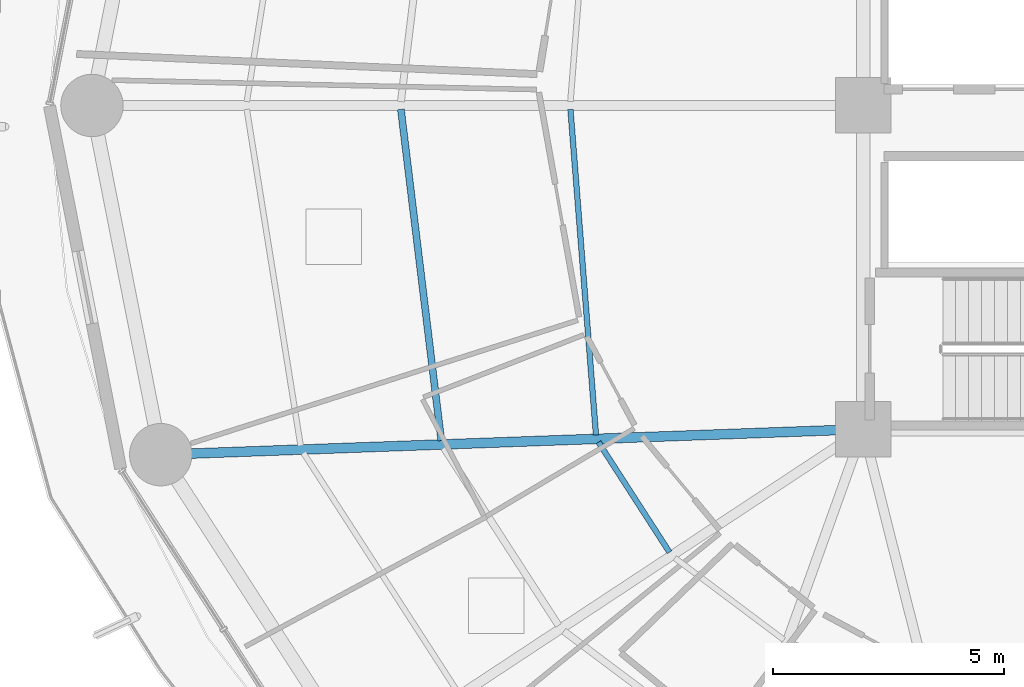
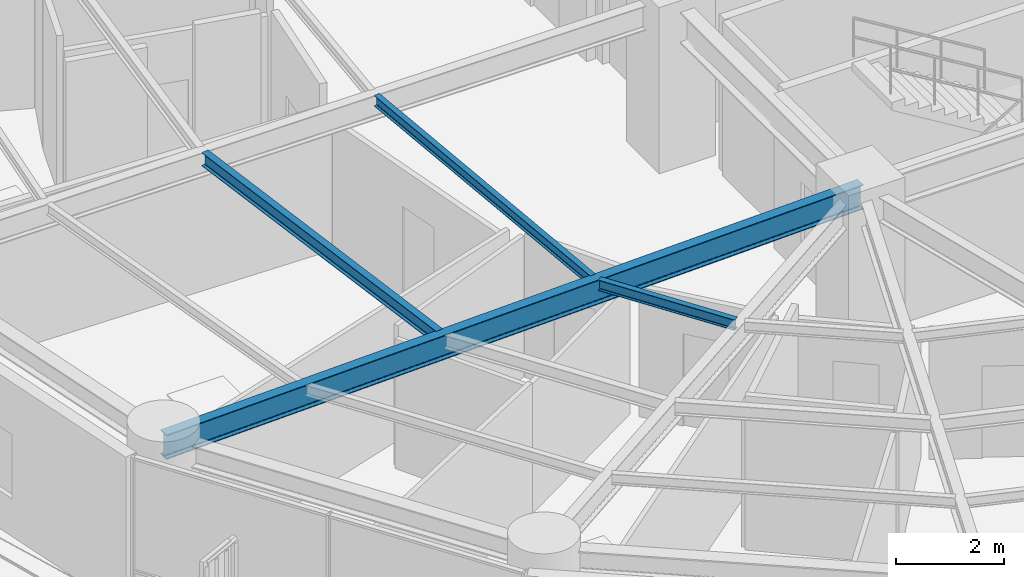
# One storey, part 7 of 37: 4 beams.
"""IFC4 building model written with IfcOpenShell, lengths in metres."""

from ifc_helpers import new_model, si_unit, direction, frame, origin, origin_2d, place, context, subcontext, project, spatial, i_section, extrude, material, material_profile, profile_set, type_object, element, save


model = new_model("IFC4")

# Units and contexts
model_context = context("Model", 3, precision=1e-05, world=origin(), true_north=direction((0.0, 1.0)))
body_context = subcontext(model_context, "Body", "Model", "MODEL_VIEW")
ifc_project = project(units=[si_unit("LENGTHUNIT", "METRE"), si_unit("AREAUNIT", "SQUARE_METRE"), si_unit("VOLUMEUNIT", "CUBIC_METRE"), si_unit("PLANEANGLEUNIT", "RADIAN"), si_unit("MASSUNIT", "GRAM", prefix="KILO")], contexts=[model_context])

# Site, building, storey
site_placement = place(None, origin())
site = spatial("IfcSite", under=ifc_project, at=site_placement, CompositionType="ELEMENT")
building_placement = place(site_placement, origin())
building = spatial("IfcBuilding", under=site, at=building_placement, Name="Kelanora Arch Commons", CompositionType="ELEMENT")
storey_placement = place(building_placement, frame((0.0, 0.0, 110.10009765625)))
storey = spatial("IfcBuildingStorey", under=building, at=storey_placement, Name="L28", CompositionType="ELEMENT", Elevation=110.10009765625)

# Beams
ifc_material = material(Name="Steel S355", Category="steel")
ifc_material_profile_1 = material_profile(ifc_material, i_section(OverallWidth=0.14990234375, OverallDepth=0.300048828125, WebThickness=0.007080078125, FlangeThickness=0.0107421875, FilletRadius=0.014892578125, at=origin_2d()), Name="IPE300")
ifc_profile_set_1 = profile_set([ifc_material_profile_1], Name="Steel S355")
beam_type_1 = type_object("IfcBeamType", Name="BM-JST-01", PredefinedType="JOIST", material=ifc_profile_set_1)
beam_1_placement = place(storey_placement, frame((56.002197265625, 57.91552734375, 3.33984375), z_axis=(0.120935645266, -0.992660349618, 0.0), x_axis=(0.992660349618, 0.120935645266, 0.0)))
element("IfcBeam", 1, at=beam_1_placement, inside=storey, type_object=beam_type_1, Name="Secondary Chord Joist BJB-18 L28", PredefinedType="JOIST", context=body_context, shape_type="SweptSolid", body=[
    extrude(i_section(OverallWidth=0.14990234375, OverallDepth=0.300048828125, WebThickness=0.007080078125, FlangeThickness=0.0107421875, FilletRadius=0.014892578125, at=origin_2d()), origin(), (0.0, 0.0, 1.0), 7.215087890625),
])
ifc_material_profile_2 = material_profile(ifc_material, i_section(OverallWidth=0.1201171875, OverallDepth=0.239990234375, WebThickness=0.006103515625, FlangeThickness=0.009765625, FilletRadius=0.014892578125, at=origin_2d()), Name="IPE240")
ifc_profile_set_2 = profile_set([ifc_material_profile_2], Name="Steel S355")
beam_type_2 = type_object("IfcBeamType", Name="BM-JST-02", PredefinedType="JOIST", material=ifc_profile_set_2)
beam_2_placement = place(storey_placement, frame((59.668212890625, 57.915283203125, 3.369873046875), z_axis=(0.078200677502, -0.996937637989, 0.0), x_axis=(0.996937637989, 0.078200677502, 0.0)))
element("IfcBeam", 2, at=beam_2_placement, inside=storey, type_object=beam_type_2, Name="Secondary Chord Joist BJA-18 L28", PredefinedType="JOIST", context=body_context, shape_type="SweptSolid", body=[
    extrude(i_section(OverallWidth=0.1201171875, OverallDepth=0.239990234375, WebThickness=0.006103515625, FlangeThickness=0.009765625, FilletRadius=0.014892578125, at=origin_2d()), origin(), (0.0, 0.0, 1.0), 7.06201171875),
])
beam_3_placement = place(storey_placement, frame((60.273193359375, 50.718994140625, 3.369873046875), z_axis=(0.542211255502, -0.840242199849, 0.0), x_axis=(0.840242199849, 0.542211255502, 0.0)))
element("IfcBeam", 3, at=beam_3_placement, inside=storey, type_object=beam_type_2, Name="Secondary Chord Joist BJA-20 L28", PredefinedType="JOIST", context=body_context, shape_type="SweptSolid", body=[
    extrude(i_section(OverallWidth=0.1201171875, OverallDepth=0.239990234375, WebThickness=0.006103515625, FlangeThickness=0.009765625, FilletRadius=0.014892578125, at=origin_2d()), origin(), (0.0, 0.0, 1.0), 2.83349609375),
])
ifc_material_profile_3 = material_profile(ifc_material, i_section(OverallWidth=0.2099609375, OverallDepth=0.550048828125, WebThickness=0.010986328125, FlangeThickness=0.01708984375, FilletRadius=0.02392578125, at=origin_2d()), Name="IPE550")
ifc_profile_set_3 = profile_set([ifc_material_profile_3], Name="Steel S355")
beam_type_3 = type_object("IfcBeamType", Name="BM-RAD-Z2", PredefinedType="BEAM", material=ifc_profile_set_3)
beam_4_placement = place(storey_placement, frame((66.0, 51.0, 3.21484375), z_axis=(-0.999341087625, -0.036295875581, 0.0), x_axis=(0.036295875581, -0.999341087625, 0.0)))
element("IfcBeam", 4, at=beam_4_placement, inside=storey, type_object=beam_type_3, Name="Radial Floor Girder BR-20 L28", PredefinedType="BEAM", context=body_context, shape_type="SweptSolid", body=[
    extrude(i_section(OverallWidth=0.2099609375, OverallDepth=0.550048828125, WebThickness=0.010986328125, FlangeThickness=0.01708984375, FilletRadius=0.02392578125, at=origin_2d()), origin(), (0.0, 0.0, 1.0), 15.20166015625),
])

save(model, "model.ifc")
